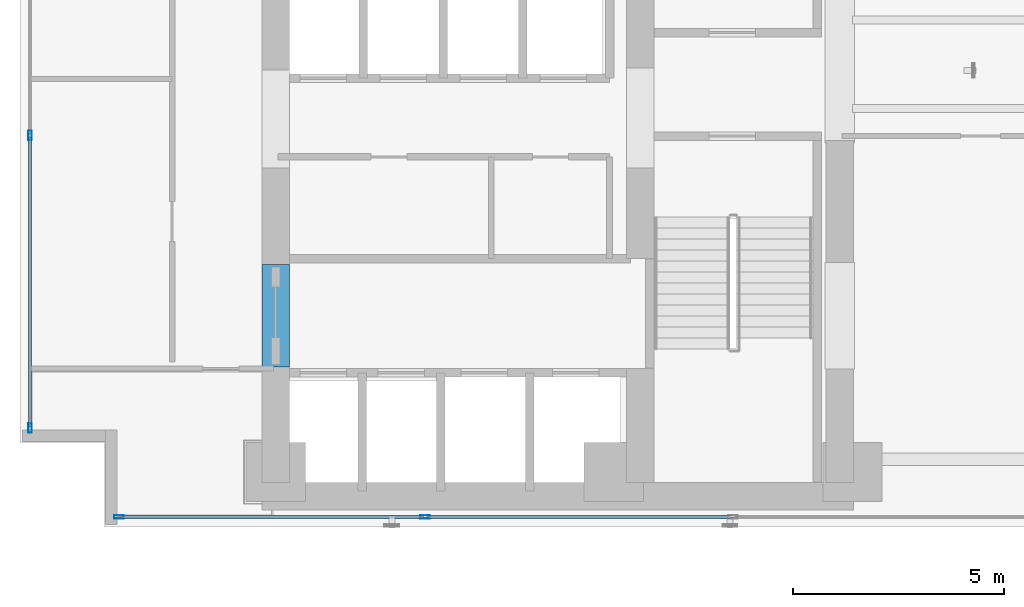
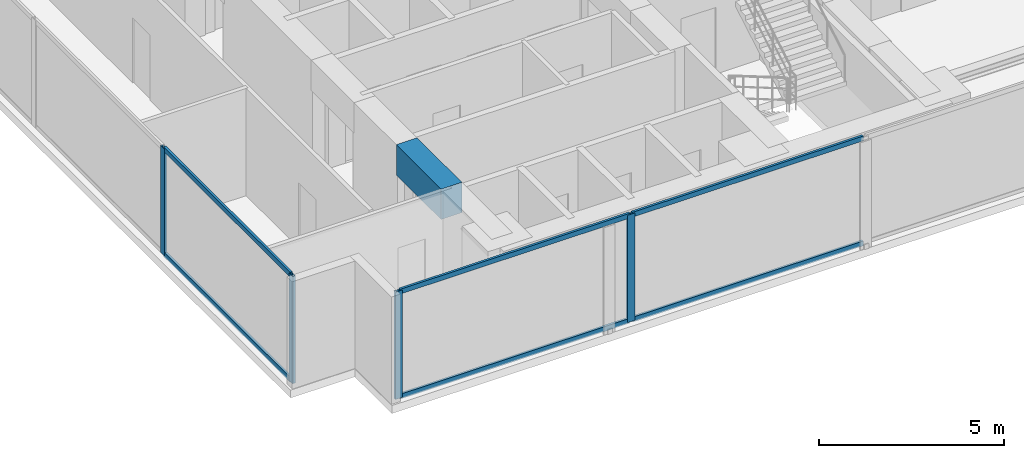
# One storey, part 2 of 28: 10 members, 1 beam, 2 elements without a shape of their own.
"""IFC4 building model written with IfcOpenShell, lengths in metres."""

from ifc_helpers import new_model, si_unit, direction, frame, origin, origin_with_axes, origin_2d, place, context, subcontext, project, spatial, rectangle, hollow_rectangle, extrude, source, transform, mapped, material, layer, layer_set, material_profile, profile_set, type_object, element, aggregate, save


model = new_model("IFC4")

# Units and contexts
model_context = context("Model", 3, precision=1e-05, world=origin(), true_north=direction((0.0, 1.0)))
body_context = subcontext(model_context, "Body", "Model", "MODEL_VIEW")
ifc_project = project(units=[si_unit("LENGTHUNIT", "METRE"), si_unit("AREAUNIT", "SQUARE_METRE"), si_unit("VOLUMEUNIT", "CUBIC_METRE"), si_unit("PLANEANGLEUNIT", "RADIAN"), si_unit("MASSUNIT", "GRAM", prefix="KILO")], contexts=[model_context])

# Site, building, storey
site_placement = place(None, origin())
site = spatial("IfcSite", under=ifc_project, at=site_placement, CompositionType="ELEMENT")
building_placement = place(site_placement, origin())
building = spatial("IfcBuilding", under=site, at=building_placement, Name="Kolvaren Waterfront Exchange", CompositionType="ELEMENT")
storey_placement = place(building_placement, frame((0.0, 0.0, 133.5)))
storey = spatial("IfcBuildingStorey", under=building, at=storey_placement, Name="L34", CompositionType="ELEMENT", Elevation=133.5)

# Beam
ifc_material_1 = material(Name="Concrete C60/75", Category="concrete")
ifc_material_profile_1 = material_profile(ifc_material_1, rectangle(XDim=0.64990234375, YDim=1.0, at=origin_2d()), Name="RC-CB-1000x650")
ifc_profile_set_1 = profile_set([ifc_material_profile_1], Name="Concrete C60/75")
beam_type = type_object("IfcBeamType", Name="STR-CB-1000", PredefinedType="SPANDREL", material=ifc_profile_set_1)
beam_placement = place(storey_placement, frame((7.449951171875, 7.389892578125, 3.0400390625), z_axis=(0.0, 1.0, 0.0), x_axis=(-1.0, 0.0, 0.0)))
element("IfcBeam", 1, at=beam_placement, inside=storey, type_object=beam_type, Name="L34 core coupling beam 3", PredefinedType="SPANDREL", context=body_context, shape_type="SweptSolid", body=[
    extrude(rectangle(XDim=0.64990234375, YDim=1.0, at=origin_2d()), origin(), (0.0, 0.0, 1.0), 2.420166015625),
])

# Curtain wall, members
ifc_material_2 = material(Name="Anodised bronze aluminium 6063-T6", Category="aluminium")
ifc_layer_1 = layer(ifc_material_2, 0.219970703125, Name="Anodised bronze aluminium 6063-T6")
ifc_layer_set_1 = layer_set([ifc_layer_1], Name="Anodised bronze aluminium 6063-T6")
curtain_wall_type_1 = type_object("IfcCurtainWallType", Name="ARC-CW-SYS1", PredefinedType="USERDEFINED", material=ifc_layer_set_1)
curtain_wall_1_placement = place(storey_placement, origin())
curtain_wall_1 = element("IfcCurtainWall", 2, at=curtain_wall_1_placement, inside=storey, type_object=curtain_wall_type_1, Name="L34 stick curtain wall CW1 (CW-L34-S)", ObjectType="STICK CURTAIN WALL", PredefinedType="USERDEFINED")
ifc_material_3 = material(Name="Anodised aluminium 6063-T6", Category="aluminium")
ifc_material_profile_2 = material_profile(ifc_material_3, hollow_rectangle(XDim=0.080078125, YDim=0.219970703125, WallThickness=0.0048828125, at=origin_2d()), Name="ALU-MUL-220x80x5")
ifc_profile_set_2 = profile_set([ifc_material_profile_2], Name="Anodised aluminium 6063-T6")
member_type_1 = type_object("IfcMemberType", Name="ARC-CWM-220", PredefinedType="MULLION", material=ifc_profile_set_2)
shared_shape_1 = source(origin_with_axes(), body_context, "Body", "SweptSolid", [
    extrude(hollow_rectangle(XDim=0.080078125, YDim=0.219970703125, WallThickness=0.0048828125, at=origin_2d()), origin(), (0.0, 0.0, 1.0), 3.5400390625),
])
member_1_placement = place(storey_placement, frame((3.739990234375, 3.840087890625, 0.0), z_axis=(0.0, 0.0, 1.0), x_axis=(0.0, 1.0, 0.0)))
member_1 = element("IfcMember", 3, at=member_1_placement, type_object=member_type_1, Name="CW1 mullion 1", PredefinedType="MULLION", context=body_context, shape_type="MappedRepresentation", body=[
    mapped(shared_shape_1, transform((0.0, 0.0, 0.0), x_axis=(1.0, 0.0, 0.0), y_axis=(0.0, 1.0, 0.0), z_axis=(0.0, 0.0, 1.0), scale=1.0)),
])
member_2_placement = place(storey_placement, frame((10.985595703125, 3.840087890625, 0.0), z_axis=(0.0, 0.0, 1.0), x_axis=(0.0, 1.0, 0.0)))
member_2 = element("IfcMember", 4, at=member_2_placement, type_object=member_type_1, Name="CW1 mullion 2", PredefinedType="MULLION", context=body_context, shape_type="MappedRepresentation", body=[
    mapped(shared_shape_1, transform((0.0, 0.0, 0.0), x_axis=(1.0, 0.0, 0.0), y_axis=(0.0, 1.0, 0.0), z_axis=(0.0, 0.0, 1.0), scale=1.0)),
])

ifc_layer_2 = layer(ifc_material_3, 0.219970703125, Name="Anodised aluminium 6063-T6")
ifc_layer_set_2 = layer_set([ifc_layer_2], Name="Anodised aluminium 6063-T6")
curtain_wall_type_2 = type_object("IfcCurtainWallType", Name="ARC-CW-SYS2", PredefinedType="USERDEFINED", material=ifc_layer_set_2)
curtain_wall_2_placement = place(storey_placement, origin())
curtain_wall_2 = element("IfcCurtainWall", 5, at=curtain_wall_2_placement, inside=storey, type_object=curtain_wall_type_2, Name="L34 stick curtain wall CW2 (CW-L34-W)", ObjectType="STICK CURTAIN WALL", PredefinedType="USERDEFINED")
member_3_placement = place(storey_placement, frame((1.639892578125, 5.93994140625, 0.0), z_axis=(0.0, 0.0, 1.0), x_axis=(-1.0, 0.0, 0.0)))
member_3 = element("IfcMember", 6, at=member_3_placement, type_object=member_type_1, Name="CW2 mullion 1", PredefinedType="MULLION", context=body_context, shape_type="MappedRepresentation", body=[
    mapped(shared_shape_1, transform((0.0, 0.0, 0.0), x_axis=(1.0, 0.0, 0.0), y_axis=(0.0, 1.0, 0.0), z_axis=(0.0, 0.0, 1.0), scale=1.0)),
])
member_4_placement = place(storey_placement, frame((1.639892578125, 12.86669921875, 0.0), z_axis=(0.0, 0.0, 1.0), x_axis=(-1.0, 0.0, 0.0)))
member_4 = element("IfcMember", 7, at=member_4_placement, type_object=member_type_1, Name="CW2 mullion 2", PredefinedType="MULLION", context=body_context, shape_type="MappedRepresentation", body=[
    mapped(shared_shape_1, transform((0.0, 0.0, 0.0), x_axis=(1.0, 0.0, 0.0), y_axis=(0.0, 1.0, 0.0), z_axis=(0.0, 0.0, 1.0), scale=1.0)),
])
ifc_material_profile_3 = material_profile(ifc_material_3, hollow_rectangle(XDim=0.074951171875, YDim=0.159912109375, WallThickness=0.00439453125, at=origin_2d()), Name="ALU-TRN-160x75x4.5")
ifc_profile_set_3 = profile_set([ifc_material_profile_3], Name="Anodised aluminium 6063-T6")
member_type_2 = type_object("IfcMemberType", Name="ARC-CWT-160", PredefinedType="USERDEFINED", material=ifc_profile_set_3)
shared_shape_2 = source(origin_with_axes(), body_context, "Body", "SweptSolid", [
    extrude(hollow_rectangle(XDim=0.074951171875, YDim=0.159912109375, WallThickness=0.00439453125, at=origin_2d()), origin(), (0.0, 0.0, 1.0), 6.8466796875),
])
member_5_placement = place(storey_placement, frame((1.639892578125, 5.97998046875, 0.03759765625), z_axis=(0.0, 1.0, 0.0), x_axis=(-1.0, 0.0, 0.0)))
member_5 = element("IfcMember", 8, at=member_5_placement, type_object=member_type_2, Name="CW2 transom 1.1", ObjectType="TRANSOM", PredefinedType="USERDEFINED", context=body_context, shape_type="MappedRepresentation", body=[
    mapped(shared_shape_2, transform((0.0, 0.0, 0.0), x_axis=(1.0, 0.0, 0.0), y_axis=(0.0, 1.0, 0.0), z_axis=(0.0, 0.0, 1.0), scale=1.0)),
])
member_6_placement = place(storey_placement, frame((1.639892578125, 5.97998046875, 3.50244140625), z_axis=(0.0, 1.0, 0.0), x_axis=(-1.0, 0.0, 0.0)))
member_6 = element("IfcMember", 9, at=member_6_placement, type_object=member_type_2, Name="CW2 transom 1.2", ObjectType="TRANSOM", PredefinedType="USERDEFINED", context=body_context, shape_type="MappedRepresentation", body=[
    mapped(shared_shape_2, transform((0.0, 0.0, 0.0), x_axis=(1.0, 0.0, 0.0), y_axis=(0.0, 1.0, 0.0), z_axis=(0.0, 0.0, 1.0), scale=1.0)),
])
aggregate(curtain_wall_2, [member_3, member_4, member_5, member_6])

# Member
shared_shape_3 = source(origin_with_axes(), body_context, "Body", "SweptSolid", [
    extrude(hollow_rectangle(XDim=0.074951171875, YDim=0.159912109375, WallThickness=0.00439453125, at=origin_2d()), origin(), (0.0, 0.0, 1.0), 7.165771484375),
])
member_7_placement = place(storey_placement, frame((3.780029296875, 3.840087890625, 0.03759765625), z_axis=(1.0, 0.0, 0.0), x_axis=(0.0, 1.0, 0.0)))
member_7 = element("IfcMember", 10, at=member_7_placement, type_object=member_type_2, Name="CW1 transom 1.1", ObjectType="TRANSOM", PredefinedType="USERDEFINED", context=body_context, shape_type="MappedRepresentation", body=[
    mapped(shared_shape_3, transform((0.0, 0.0, 0.0), x_axis=(1.0, 0.0, 0.0), y_axis=(0.0, 1.0, 0.0), z_axis=(0.0, 0.0, 1.0), scale=1.0)),
])

member_8_placement = place(storey_placement, frame((3.780029296875, 3.840087890625, 3.50244140625), z_axis=(1.0, 0.0, 0.0), x_axis=(0.0, 1.0, 0.0)))
member_8 = element("IfcMember", 11, at=member_8_placement, type_object=member_type_2, Name="CW1 transom 1.2", ObjectType="TRANSOM", PredefinedType="USERDEFINED", context=body_context, shape_type="MappedRepresentation", body=[
    mapped(shared_shape_3, transform((0.0, 0.0, 0.0), x_axis=(1.0, 0.0, 0.0), y_axis=(0.0, 1.0, 0.0), z_axis=(0.0, 0.0, 1.0), scale=1.0)),
])

shared_shape_4 = source(origin_with_axes(), body_context, "Body", "SweptSolid", [
    extrude(hollow_rectangle(XDim=0.074951171875, YDim=0.159912109375, WallThickness=0.00439453125, at=origin_2d()), origin(), (0.0, 0.0, 1.0), 7.205810546875),
])
member_9_placement = place(storey_placement, frame((11.025634765625, 3.840087890625, 0.03759765625), z_axis=(1.0, 0.0, 0.0), x_axis=(0.0, 1.0, 0.0)))
member_9 = element("IfcMember", 12, at=member_9_placement, type_object=member_type_2, Name="CW1 transom 2.1", ObjectType="TRANSOM", PredefinedType="USERDEFINED", context=body_context, shape_type="MappedRepresentation", body=[
    mapped(shared_shape_4, transform((0.0, 0.0, 0.0), x_axis=(1.0, 0.0, 0.0), y_axis=(0.0, 1.0, 0.0), z_axis=(0.0, 0.0, 1.0), scale=1.0)),
])

member_10_placement = place(storey_placement, frame((11.025634765625, 3.840087890625, 3.50244140625), z_axis=(1.0, 0.0, 0.0), x_axis=(0.0, 1.0, 0.0)))
member_10 = element("IfcMember", 13, at=member_10_placement, type_object=member_type_2, Name="CW1 transom 2.2", ObjectType="TRANSOM", PredefinedType="USERDEFINED", context=body_context, shape_type="MappedRepresentation", body=[
    mapped(shared_shape_4, transform((0.0, 0.0, 0.0), x_axis=(1.0, 0.0, 0.0), y_axis=(0.0, 1.0, 0.0), z_axis=(0.0, 0.0, 1.0), scale=1.0)),
])

aggregate(curtain_wall_1, [member_1, member_2, member_7, member_8, member_9, member_10])

save(model, "model.ifc")
